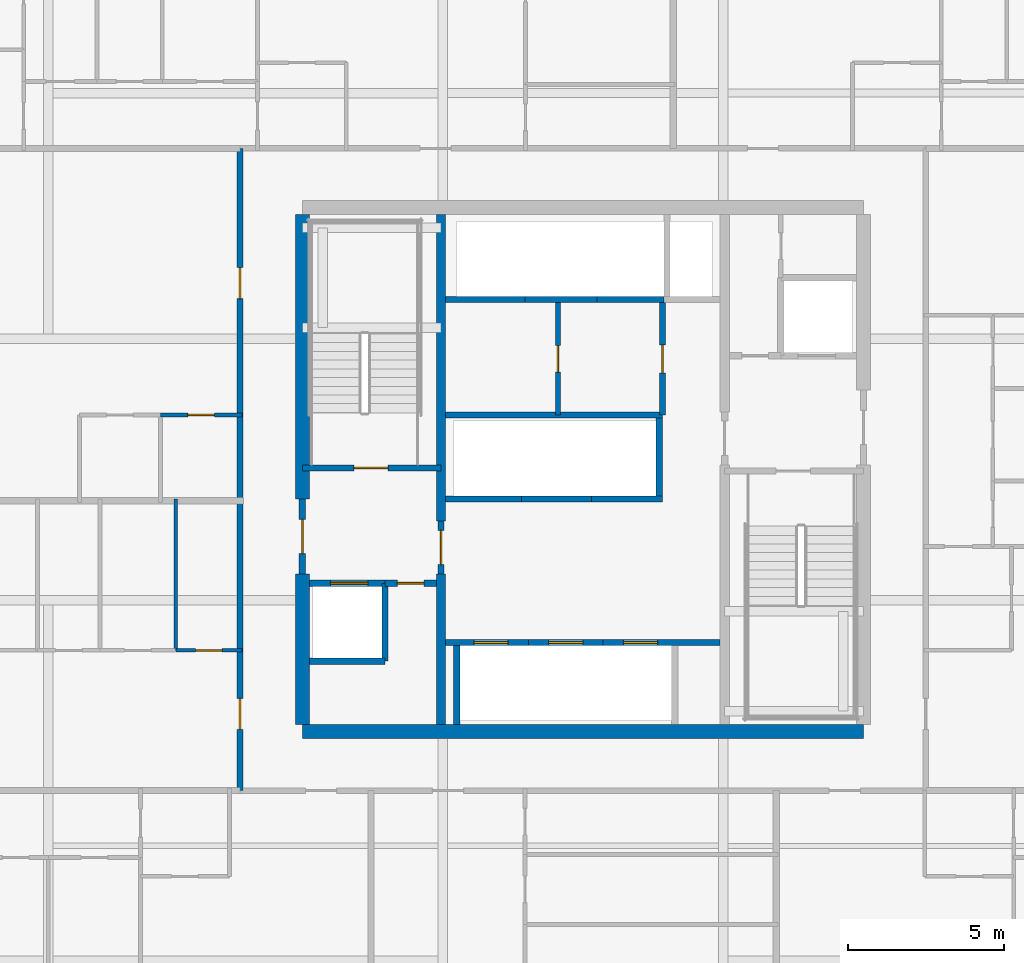
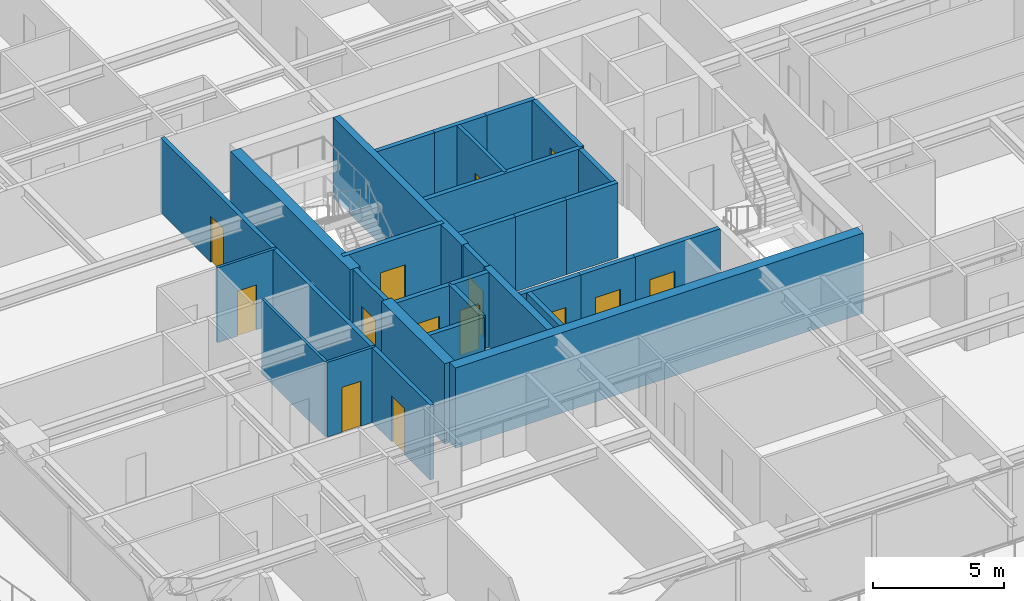
# One storey, part 24 of 35: 30 walls, 14 doors, 14 openings.
"""IFC4 building model written with IfcOpenShell, lengths in metres."""

from ifc_helpers import new_model, si_unit, direction, frame, frame_2d, origin, place, context, subcontext, project, spatial, rectangle, extrude, source, transform, mapped, material, layer, layer_set, type_object, element, fill, save


model = new_model("IFC4")

# Units and contexts
model_context = context("Model", 3, precision=1e-05, world=origin(), true_north=direction((0.0, 1.0)))
body_context = subcontext(model_context, "Body", "Model", "MODEL_VIEW")
ifc_project = project(units=[si_unit("LENGTHUNIT", "METRE"), si_unit("AREAUNIT", "SQUARE_METRE"), si_unit("VOLUMEUNIT", "CUBIC_METRE"), si_unit("PLANEANGLEUNIT", "RADIAN"), si_unit("MASSUNIT", "GRAM", prefix="KILO")], contexts=[model_context])

# Site, building, storey
site_placement = place(None, origin())
site = spatial("IfcSite", under=ifc_project, at=site_placement, CompositionType="ELEMENT")
building_placement = place(site_placement, origin())
building = spatial("IfcBuilding", under=site, at=building_placement, Name="Serunith Strait Residences", CompositionType="ELEMENT")
storey_placement = place(building_placement, frame((0.0, 0.0, 71.699951171875)))
storey = spatial("IfcBuildingStorey", under=building, at=storey_placement, Name="L17", CompositionType="ELEMENT", Elevation=71.699951171875)

# Wall, opening, door
ifc_material_1 = material(Name="Fire-rated masonry service closet wall", Category="masonry")
ifc_layer_1 = layer(ifc_material_1, 0.14990234375, Name="Fire-rated masonry service closet wall")
ifc_layer_set_1 = layer_set([ifc_layer_1], Name="Fire-rated masonry service closet wall")
wall_type_1 = type_object("IfcWallType", Name="IW-BOH-150", PredefinedType="PARTITIONING", material=ifc_layer_set_1)
wall_1_placement = place(storey_placement, frame((31.60009765625, 26.949951171875, 0.0), z_axis=(0.0, 0.0, 1.0), x_axis=(0.0, 1.0, 0.0)))
wall_1 = element("IfcWall", 1, at=wall_1_placement, inside=storey, type_object=wall_type_1, Name="L17 Partition Wall 014", PredefinedType="PARTITIONING", context=body_context, shape_type="SweptSolid", body=[
    extrude(rectangle(XDim=3.60009765625, YDim=0.14990234375, at=frame_2d((1.800048828125, 0.0))), origin(), (0.0, 0.0, 1.0), 3.489990234375),
])
opening_1_placement = place(wall_1_placement, frame((1.375, 0.0, 0.0)))
opening_1 = element("IfcOpeningElement", 2, at=opening_1_placement, cuts=wall_1, Name="Opening FD-850", PredefinedType="OPENING", context=body_context, shape_type="SweptSolid", body=[
    extrude(rectangle(XDim=0.85009765625, YDim=2.10009765625, at=frame_2d((0.425048828125, 1.050048828125))), frame((0.0, 0.0849609375, 0.0), z_axis=(0.0, -1.0, 0.0), x_axis=(1.0, 0.0, 0.0)), (0.0, 0.0, 1.0), 0.169921875),
])
ifc_material_2 = material(Name="Powder-coated steel service closet door", Category="steel")
door_type_1 = type_object("IfcDoorType", Name="FD-BOH-850", OperationType="NOTDEFINED", PredefinedType="DOOR", material=ifc_material_2)
shared_shape_1 = source(origin(), body_context, "Body", "SweptSolid", [
    extrude(rectangle(XDim=0.85009765625, YDim=2.10009765625, at=frame_2d((0.425048828125, 1.050048828125))), frame((0.0, 0.02490234375, 0.0), z_axis=(0.0, -1.0, 0.0), x_axis=(1.0, 0.0, 0.0)), (0.0, 0.0, 1.0), 0.050048828125),
])
door_1_placement = place(opening_1_placement, origin())
door_1 = element("IfcDoor", 3, at=door_1_placement, inside=storey, type_object=door_type_1, Name="L17 Zone Telecoms Door", OperationType="SINGLE_SWING_RIGHT", OverallHeight=2.10009765625, OverallWidth=0.85009765625, PredefinedType="DOOR", context=body_context, shape_type="MappedRepresentation", body=[
    mapped(shared_shape_1, transform((0.0, 0.0, 0.0), scale=1.0)),
])
fill(opening_1, door_1)

# Wall, openings, doors
ifc_material_3 = material(Name="Fire-rated acoustic gypsum partition")
ifc_layer_2 = layer(ifc_material_3, 0.179931640625, Name="Fire-rated acoustic gypsum partition")
ifc_layer_set_2 = layer_set([ifc_layer_2], Name="Fire-rated acoustic gypsum partition")
wall_type_2 = type_object("IfcWallType", Name="IW-CORR-180", PredefinedType="PARTITIONING", material=ifc_layer_set_2)
wall_2_placement = place(storey_placement, frame((21.39990234375, 14.89990234375, 0.0), z_axis=(0.0, 0.0, 1.0), x_axis=(0.0, 1.0, 0.0)))
wall_2 = element("IfcWall", 4, at=wall_2_placement, inside=storey, type_object=wall_type_2, Name="L17 Partition Wall 025", PredefinedType="PARTITIONING", context=body_context, shape_type="SweptSolid", body=[
    extrude(rectangle(XDim=20.60009765625, YDim=0.179931640625, at=frame_2d((10.300048828125, 0.0))), origin(), (0.0, 0.0, 1.0), 3.489990234375),
])
opening_2_placement = place(wall_2_placement, frame((1.9599609375, 0.0, 0.0)))
opening_2 = element("IfcOpeningElement", 5, at=opening_2_placement, cuts=wall_2, Name="Opening D-APT1000", PredefinedType="OPENING", context=body_context, shape_type="SweptSolid", body=[
    extrude(rectangle(XDim=1.0, YDim=2.14990234375, at=frame_2d((0.5, 1.074951171875))), frame((0.0, 0.10009765625, 0.0), z_axis=(0.0, -1.0, 0.0), x_axis=(1.0, 0.0, 0.0)), (0.0, 0.0, 1.0), 0.199951171875),
])
opening_3_placement = place(wall_2_placement, frame((15.778076171875, 0.0, 0.0)))
opening_3 = element("IfcOpeningElement", 6, at=opening_3_placement, cuts=wall_2, Name="Opening D-APT1000", PredefinedType="OPENING", context=body_context, shape_type="SweptSolid", body=[
    extrude(rectangle(XDim=1.0, YDim=2.14990234375, at=frame_2d((0.5, 1.074951171875))), frame((0.0, 0.10009765625, 0.0), z_axis=(0.0, -1.0, 0.0), x_axis=(1.0, 0.0, 0.0)), (0.0, 0.0, 1.0), 0.199951171875),
])
ifc_material_4 = material(Name="Solid timber engineered fire door", Category="wood")
door_type_2 = type_object("IfcDoorType", Name="ID-APT-1000", OperationType="NOTDEFINED", PredefinedType="DOOR", material=ifc_material_4)
shared_shape_2 = source(origin(), body_context, "Body", "SweptSolid", [
    extrude(rectangle(XDim=1.0, YDim=2.14990234375, at=frame_2d((0.5, 1.074951171875))), frame((0.0, 0.02490234375, 0.0), z_axis=(0.0, -1.0, 0.0), x_axis=(1.0, 0.0, 0.0)), (0.0, 0.0, 1.0), 0.050048828125),
])
door_2_placement = place(opening_2_placement, origin())
door_2 = element("IfcDoor", 7, at=door_2_placement, inside=storey, type_object=door_type_2, Name="L17 Unit 06 Entrance Door", OperationType="SINGLE_SWING_RIGHT", OverallHeight=2.14990234375, OverallWidth=1.0, PredefinedType="DOOR", context=body_context, shape_type="MappedRepresentation", body=[
    mapped(shared_shape_2, transform((0.0, 0.0, 0.0), scale=1.0)),
])
fill(opening_2, door_2)
door_3_placement = place(opening_3_placement, origin())
door_3 = element("IfcDoor", 8, at=door_3_placement, inside=storey, type_object=door_type_2, Name="L17 Unit 07 Entrance Door", OperationType="SINGLE_SWING_LEFT", OverallHeight=2.14990234375, OverallWidth=1.0, PredefinedType="DOOR", context=body_context, shape_type="MappedRepresentation", body=[
    mapped(shared_shape_2, transform((0.0, 0.0, 0.0), scale=1.0)),
])
fill(opening_3, door_3)

# Wall
ifc_material_5 = material(Name="Lightweight steel-stud gypsum partition", Category="steel")
ifc_layer_3 = layer(ifc_material_5, 0.1201171875, Name="Lightweight steel-stud gypsum partition")
ifc_layer_set_3 = layer_set([ifc_layer_3], Name="Lightweight steel-stud gypsum partition")
wall_type_3 = type_object("IfcWallType", Name="IW-PART-120", PredefinedType="PARTITIONING", material=ifc_layer_set_3)
wall_3_placement = place(storey_placement, frame((19.3369140625, 19.39990234375, 0.0), z_axis=(0.0, 0.0, 1.0), x_axis=(0.0, 1.0, 0.0)))
element("IfcWall", 9, at=wall_3_placement, inside=storey, type_object=wall_type_3, Name="L17 Partition Wall 105", PredefinedType="PARTITIONING", context=body_context, shape_type="SweptSolid", body=[
    extrude(rectangle(XDim=4.860107421875, YDim=0.1201171875, at=frame_2d((2.43017578125, 0.0))), origin(), (0.0, 0.0, 1.0), 3.489990234375),
])

# Wall, opening, door
wall_4_placement = place(storey_placement, frame((19.339111328125, 19.39990234375, 0.0), z_axis=(0.0, 0.0, 1.0), x_axis=(1.0, 0.0, 0.0)))
wall_4 = element("IfcWall", 10, at=wall_4_placement, inside=storey, type_object=wall_type_3, Name="L17 Partition Wall 108", PredefinedType="PARTITIONING", context=body_context, shape_type="SweptSolid", body=[
    extrude(rectangle(XDim=2.120849609375, YDim=0.1201171875, at=frame_2d((1.060546875, 0.0))), origin(), (0.0, 0.0, 1.0), 3.489990234375),
])
opening_4_placement = place(wall_4_placement, frame((0.635986328125, 0.0, 0.0)))
opening_4 = element("IfcOpeningElement", 11, at=opening_4_placement, cuts=wall_4, Name="Opening D-BTH850", PredefinedType="OPENING", context=body_context, shape_type="SweptSolid", body=[
    extrude(rectangle(XDim=0.85009765625, YDim=2.10009765625, at=frame_2d((0.425048828125, 1.050048828125))), frame((0.0, 0.070068359375, 0.0), z_axis=(0.0, -1.0, 0.0), x_axis=(1.0, 0.0, 0.0)), (0.0, 0.0, 1.0), 0.14013671875),
])
ifc_material_6 = material(Name="Moisture-resistant timber bathroom door", Category="wood")
door_type_3 = type_object("IfcDoorType", Name="ID-BATH-850", OperationType="NOTDEFINED", PredefinedType="DOOR", material=ifc_material_6)
door_4_placement = place(opening_4_placement, origin())
door_4 = element("IfcDoor", 12, at=door_4_placement, inside=storey, type_object=door_type_3, Name="L17 Bathroom 1706 Door", OperationType="SINGLE_SWING_LEFT", OverallHeight=2.10009765625, OverallWidth=0.85009765625, PredefinedType="DOOR", context=body_context, shape_type="MappedRepresentation", body=[
    mapped(shared_shape_1, transform((0.0, 0.0, 0.0), scale=1.0)),
])
fill(opening_4, door_4)

wall_5_placement = place(storey_placement, frame((18.85205078125, 26.949951171875, 0.0), z_axis=(0.0, 0.0, 1.0), x_axis=(1.0, 0.0, 0.0)))
wall_5 = element("IfcWall", 13, at=wall_5_placement, inside=storey, type_object=wall_type_3, Name="L17 Partition Wall 110", PredefinedType="PARTITIONING", context=body_context, shape_type="SweptSolid", body=[
    extrude(rectangle(XDim=2.60791015625, YDim=0.1201171875, at=frame_2d((1.303955078125, 0.0))), origin(), (0.0, 0.0, 1.0), 3.489990234375),
])
opening_5_placement = place(wall_5_placement, frame((0.87890625, 0.0, 0.0)))
opening_5 = element("IfcOpeningElement", 14, at=opening_5_placement, cuts=wall_5, Name="Opening D-BTH850", PredefinedType="OPENING", context=body_context, shape_type="SweptSolid", body=[
    extrude(rectangle(XDim=0.85009765625, YDim=2.10009765625, at=frame_2d((0.425048828125, 1.050048828125))), frame((0.0, 0.070068359375, 0.0), z_axis=(0.0, -1.0, 0.0), x_axis=(1.0, 0.0, 0.0)), (0.0, 0.0, 1.0), 0.14013671875),
])
door_5_placement = place(opening_5_placement, origin())
door_5 = element("IfcDoor", 15, at=door_5_placement, inside=storey, type_object=door_type_3, Name="L17 Bathroom 1707 Door", OperationType="SINGLE_SWING_LEFT", OverallHeight=2.10009765625, OverallWidth=0.85009765625, PredefinedType="DOOR", context=body_context, shape_type="MappedRepresentation", body=[
    mapped(shared_shape_1, transform((0.0, 0.0, 0.0), scale=1.0)),
])
fill(opening_5, door_5)

ifc_material_7 = material(Name="Autoclaved aerated concrete blockwork", Category="masonry")
ifc_layer_4 = layer(ifc_material_7, 0.199951171875, Name="Autoclaved aerated concrete blockwork")
ifc_layer_set_4 = layer_set([ifc_layer_4], Name="Autoclaved aerated concrete blockwork")
wall_type_4 = type_object("IfcWallType", Name="IW-SHAFT-200", PredefinedType="STANDARD", material=ifc_layer_set_4)
wall_6_placement = place(storey_placement, frame((23.39990234375, 25.25, 0.0), z_axis=(0.0, 0.0, 1.0), x_axis=(1.0, 0.0, 0.0)))
wall_6 = element("IfcWall", 16, at=wall_6_placement, inside=storey, type_object=wall_type_4, Name="L17 ST-1 South Shaft Wall", PredefinedType="STANDARD", context=body_context, shape_type="SweptSolid", body=[
    extrude(rectangle(XDim=4.4501953125, YDim=0.199951171875, at=frame_2d((2.22509765625, 0.0))), origin(), (0.0, 0.0, 1.0), 3.489990234375),
])
opening_6_placement = place(wall_6_placement, frame((1.64990234375, 0.0, 0.0)))
opening_6 = element("IfcOpeningElement", 17, at=opening_6_placement, cuts=wall_6, Name="Opening FD-1100", PredefinedType="OPENING", context=body_context, shape_type="SweptSolid", body=[
    extrude(rectangle(XDim=1.10009765625, YDim=2.14990234375, at=frame_2d((0.550048828125, 1.074951171875))), frame((0.0, 0.10986328125, 0.0), z_axis=(0.0, -1.0, 0.0), x_axis=(1.0, 0.0, 0.0)), (0.0, 0.0, 1.0), 0.219970703125),
])
ifc_material_8 = material(Name="Galvanised steel fire door leaf", Category="steel")
door_type_4 = type_object("IfcDoorType", Name="FD-STAIR-1100", OperationType="NOTDEFINED", PredefinedType="DOOR", material=ifc_material_8)
shared_shape_3 = source(origin(), body_context, "Body", "SweptSolid", [
    extrude(rectangle(XDim=1.10009765625, YDim=2.14990234375, at=frame_2d((0.550048828125, 1.074951171875))), frame((0.0, 0.02490234375, 0.0), z_axis=(0.0, -1.0, 0.0), x_axis=(1.0, 0.0, 0.0)), (0.0, 0.0, 1.0), 0.050048828125),
])
door_6_placement = place(opening_6_placement, origin())
door_6 = element("IfcDoor", 18, at=door_6_placement, inside=storey, type_object=door_type_4, Name="L17 ST-1 Escape Stair Door", OperationType="SINGLE_SWING_LEFT", OverallHeight=2.14990234375, OverallWidth=1.10009765625, PredefinedType="DOOR", context=body_context, shape_type="MappedRepresentation", body=[
    mapped(shared_shape_3, transform((0.0, 0.0, 0.0), scale=1.0)),
])
fill(opening_6, door_6)

wall_7_placement = place(storey_placement, frame((23.625, 21.550048828125, 0.0), z_axis=(0.0, 0.0, 1.0), x_axis=(1.0, 0.0, 0.0)))
wall_7 = element("IfcWall", 19, at=wall_7_placement, inside=storey, type_object=wall_type_4, Name="L17 FL-1 North Shaft Wall", PredefinedType="STANDARD", context=body_context, shape_type="SweptSolid", body=[
    extrude(rectangle(XDim=2.425048828125, YDim=0.199951171875, at=frame_2d((1.21240234375, 0.0))), origin(), (0.0, 0.0, 1.0), 3.489990234375),
])
opening_7_placement = place(wall_7_placement, frame((0.675048828125, 0.0, 0.0)))
opening_7 = element("IfcOpeningElement", 20, at=opening_7_placement, cuts=wall_7, Name="Opening LD-FF1200", PredefinedType="OPENING", context=body_context, shape_type="SweptSolid", body=[
    extrude(rectangle(XDim=1.199951171875, YDim=2.199951171875, at=frame_2d((0.60009765625, 1.10009765625))), frame((0.0, 0.10986328125, 0.0), z_axis=(0.0, -1.0, 0.0), x_axis=(1.0, 0.0, 0.0)), (0.0, 0.0, 1.0), 0.219970703125),
])
ifc_material_9 = material(Name="Brushed stainless steel landing door", Category="steel")
door_type_5 = type_object("IfcDoorType", Name="LD-FF-1200", OperationType="DOUBLE_DOOR_SLIDING", PredefinedType="DOOR", material=ifc_material_9)
shared_shape_4 = source(origin(), body_context, "Body", "SweptSolid", [
    extrude(rectangle(XDim=1.199951171875, YDim=2.199951171875, at=frame_2d((0.60009765625, 1.10009765625))), frame((0.0, 0.02490234375, 0.0), z_axis=(0.0, -1.0, 0.0), x_axis=(1.0, 0.0, 0.0)), (0.0, 0.0, 1.0), 0.050048828125),
])
door_7_placement = place(opening_7_placement, origin())
door_7 = element("IfcDoor", 21, at=door_7_placement, inside=storey, type_object=door_type_5, Name="L17 FL-1 Landing Door", OperationType="DOUBLE_DOOR_SLIDING", OverallHeight=2.199951171875, OverallWidth=1.199951171875, PredefinedType="DOOR", context=body_context, shape_type="MappedRepresentation", body=[
    mapped(shared_shape_4, transform((0.0, 0.0, 0.0), scale=1.0)),
])
fill(opening_7, door_7)

wall_8_placement = place(storey_placement, frame((28.0, 19.64990234375, 0.0), z_axis=(0.0, 0.0, 1.0), x_axis=(1.0, 0.0, 0.0)))
wall_8 = element("IfcWall", 22, at=wall_8_placement, inside=storey, type_object=wall_type_4, Name="L17 PL-1 North Shaft Wall", PredefinedType="STANDARD", context=body_context, shape_type="SweptSolid", body=[
    extrude(rectangle(XDim=2.64990234375, YDim=0.199951171875, at=frame_2d((1.324951171875, 0.0))), origin(), (0.0, 0.0, 1.0), 3.489990234375),
])
opening_8_placement = place(wall_8_placement, frame((0.89990234375, 0.0, 0.0)))
opening_8 = element("IfcOpeningElement", 23, at=opening_8_placement, cuts=wall_8, Name="Opening LD-1100", PredefinedType="OPENING", context=body_context, shape_type="SweptSolid", body=[
    extrude(rectangle(XDim=1.10009765625, YDim=2.199951171875, at=frame_2d((0.550048828125, 1.10009765625))), frame((0.0, 0.10986328125, 0.0), z_axis=(0.0, -1.0, 0.0), x_axis=(1.0, 0.0, 0.0)), (0.0, 0.0, 1.0), 0.219970703125),
])
ifc_material_10 = material(Name="Pale-champagne stainless landing door")
door_type_6 = type_object("IfcDoorType", Name="LD-LIFT-1100", OperationType="DOUBLE_DOOR_SLIDING", PredefinedType="DOOR", material=ifc_material_10)
shared_shape_5 = source(origin(), body_context, "Body", "SweptSolid", [
    extrude(rectangle(XDim=1.10009765625, YDim=2.199951171875, at=frame_2d((0.550048828125, 1.10009765625))), frame((0.0, 0.02490234375, 0.0), z_axis=(0.0, -1.0, 0.0), x_axis=(1.0, 0.0, 0.0)), (0.0, 0.0, 1.0), 0.050048828125),
])
door_8_placement = place(opening_8_placement, origin())
door_8 = element("IfcDoor", 24, at=door_8_placement, inside=storey, type_object=door_type_6, Name="L17 PL-1 Landing Door", OperationType="DOUBLE_DOOR_SLIDING", OverallHeight=2.199951171875, OverallWidth=1.10009765625, PredefinedType="DOOR", context=body_context, shape_type="MappedRepresentation", body=[
    mapped(shared_shape_5, transform((0.0, 0.0, 0.0), scale=1.0)),
])
fill(opening_8, door_8)

# Wall
wall_9_placement = place(storey_placement, frame((28.35009765625, 17.02490234375, 0.0), z_axis=(0.0, 0.0, 1.0), x_axis=(0.0, 1.0, 0.0)))
element("IfcWall", 25, at=wall_9_placement, inside=storey, type_object=wall_type_4, Name="L17 PL-1 West Shaft Wall", PredefinedType="STANDARD", context=body_context, shape_type="SweptSolid", body=[
    extrude(rectangle(XDim=2.525146484375, YDim=0.199951171875, at=frame_2d((1.2626953125, 0.0))), origin(), (0.0, 0.0, 1.0), 3.489990234375),
])

# Wall, opening, door
wall_10_placement = place(storey_placement, frame((30.64990234375, 19.64990234375, 0.0), z_axis=(0.0, 0.0, 1.0), x_axis=(1.0, 0.0, 0.0)))
wall_10 = element("IfcWall", 26, at=wall_10_placement, inside=storey, type_object=wall_type_4, Name="L17 PL-2 North Shaft Wall", PredefinedType="STANDARD", context=body_context, shape_type="SweptSolid", body=[
    extrude(rectangle(XDim=2.400146484375, YDim=0.199951171875, at=frame_2d((1.2001953125, 0.0))), origin(), (0.0, 0.0, 1.0), 3.489990234375),
])
opening_9_placement = place(wall_10_placement, frame((0.64990234375, 0.0, 0.0)))
opening_9 = element("IfcOpeningElement", 27, at=opening_9_placement, cuts=wall_10, Name="Opening LD-1100", PredefinedType="OPENING", context=body_context, shape_type="SweptSolid", body=[
    extrude(rectangle(XDim=1.10009765625, YDim=2.199951171875, at=frame_2d((0.550048828125, 1.10009765625))), frame((0.0, 0.10986328125, 0.0), z_axis=(0.0, -1.0, 0.0), x_axis=(1.0, 0.0, 0.0)), (0.0, 0.0, 1.0), 0.219970703125),
])
door_9_placement = place(opening_9_placement, origin())
door_9 = element("IfcDoor", 28, at=door_9_placement, inside=storey, type_object=door_type_6, Name="L17 PL-2 Landing Door", OperationType="DOUBLE_DOOR_SLIDING", OverallHeight=2.199951171875, OverallWidth=1.10009765625, PredefinedType="DOOR", context=body_context, shape_type="MappedRepresentation", body=[
    mapped(shared_shape_5, transform((0.0, 0.0, 0.0), scale=1.0)),
])
fill(opening_9, door_9)

wall_11_placement = place(storey_placement, frame((33.050048828125, 19.64990234375, 0.0), z_axis=(0.0, 0.0, 1.0), x_axis=(1.0, 0.0, 0.0)))
wall_11 = element("IfcWall", 29, at=wall_11_placement, inside=storey, type_object=wall_type_4, Name="L17 PL-3 North Shaft Wall", PredefinedType="STANDARD", context=body_context, shape_type="SweptSolid", body=[
    extrude(rectangle(XDim=3.75, YDim=0.199951171875, at=frame_2d((1.875, 0.0))), origin(), (0.0, 0.0, 1.0), 3.489990234375),
])
opening_10_placement = place(wall_11_placement, frame((0.64990234375, 0.0, 0.0)))
opening_10 = element("IfcOpeningElement", 30, at=opening_10_placement, cuts=wall_11, Name="Opening LD-1100", PredefinedType="OPENING", context=body_context, shape_type="SweptSolid", body=[
    extrude(rectangle(XDim=1.10009765625, YDim=2.199951171875, at=frame_2d((0.550048828125, 1.10009765625))), frame((0.0, 0.10986328125, 0.0), z_axis=(0.0, -1.0, 0.0), x_axis=(1.0, 0.0, 0.0)), (0.0, 0.0, 1.0), 0.219970703125),
])
door_10_placement = place(opening_10_placement, origin())
door_10 = element("IfcDoor", 31, at=door_10_placement, inside=storey, type_object=door_type_6, Name="L17 PL-3 Landing Door", OperationType="DOUBLE_DOOR_SLIDING", OverallHeight=2.199951171875, OverallWidth=1.10009765625, PredefinedType="DOOR", context=body_context, shape_type="MappedRepresentation", body=[
    mapped(shared_shape_5, transform((0.0, 0.0, 0.0), scale=1.0)),
])
fill(opening_10, door_10)

# Walls
wall_12_placement = place(storey_placement, frame((28.0, 24.25, 0.0), z_axis=(0.0, 0.0, 1.0), x_axis=(1.0, 0.0, 0.0)))
element("IfcWall", 32, at=wall_12_placement, inside=storey, type_object=wall_type_4, Name="L17 PL-4 South Shaft Wall", PredefinedType="STANDARD", context=body_context, shape_type="SweptSolid", body=[
    extrude(rectangle(XDim=2.425048828125, YDim=0.199951171875, at=frame_2d((1.21240234375, 0.0))), origin(), (0.0, 0.0, 1.0), 3.489990234375),
])
wall_13_placement = place(storey_placement, frame((30.425048828125, 24.25, 0.0), z_axis=(0.0, 0.0, 1.0), x_axis=(1.0, 0.0, 0.0)))
element("IfcWall", 33, at=wall_13_placement, inside=storey, type_object=wall_type_4, Name="L17 PL-5 South Shaft Wall", PredefinedType="STANDARD", context=body_context, shape_type="SweptSolid", body=[
    extrude(rectangle(XDim=2.25, YDim=0.199951171875, at=frame_2d((1.125, 0.0))), origin(), (0.0, 0.0, 1.0), 3.489990234375),
])
wall_14_placement = place(storey_placement, frame((32.675048828125, 24.25, 0.0), z_axis=(0.0, 0.0, 1.0), x_axis=(1.0, 0.0, 0.0)))
element("IfcWall", 34, at=wall_14_placement, inside=storey, type_object=wall_type_4, Name="L17 PL-6 South Shaft Wall", PredefinedType="STANDARD", context=body_context, shape_type="SweptSolid", body=[
    extrude(rectangle(XDim=2.27490234375, YDim=0.199951171875, at=frame_2d((1.137451171875, 0.0))), origin(), (0.0, 0.0, 1.0), 3.489990234375),
])
wall_15_placement = place(storey_placement, frame((34.85009765625, 24.35009765625, 0.0), z_axis=(0.0, 0.0, 1.0), x_axis=(0.0, 1.0, 0.0)))
element("IfcWall", 35, at=wall_15_placement, inside=storey, type_object=wall_type_4, Name="L17 PL-6 East Shaft Wall", PredefinedType="STANDARD", context=body_context, shape_type="SweptSolid", body=[
    extrude(rectangle(XDim=2.5, YDim=0.199951171875, at=frame_2d((1.25, 0.0))), origin(), (0.0, 0.0, 1.0), 3.489990234375),
])
wall_16_placement = place(storey_placement, frame((28.0, 30.64990234375, 0.0), z_axis=(0.0, 0.0, 1.0), x_axis=(1.0, 0.0, 0.0)))
element("IfcWall", 36, at=wall_16_placement, inside=storey, type_object=wall_type_4, Name="L17 PL-7 South Shaft Wall", PredefinedType="STANDARD", context=body_context, shape_type="SweptSolid", body=[
    extrude(rectangle(XDim=2.550048828125, YDim=0.199951171875, at=frame_2d((1.27490234375, 0.0))), origin(), (0.0, 0.0, 1.0), 3.489990234375),
])
wall_17_placement = place(storey_placement, frame((30.550048828125, 30.64990234375, 0.0), z_axis=(0.0, 0.0, 1.0), x_axis=(1.0, 0.0, 0.0)))
element("IfcWall", 37, at=wall_17_placement, inside=storey, type_object=wall_type_4, Name="L17 PL-8 South Shaft Wall", PredefinedType="STANDARD", context=body_context, shape_type="SweptSolid", body=[
    extrude(rectangle(XDim=2.300048828125, YDim=0.199951171875, at=frame_2d((1.14990234375, 0.0))), origin(), (0.0, 0.0, 1.0), 3.489990234375),
])
wall_18_placement = place(storey_placement, frame((32.85009765625, 30.64990234375, 0.0), z_axis=(0.0, 0.0, 1.0), x_axis=(1.0, 0.0, 0.0)))
element("IfcWall", 38, at=wall_18_placement, inside=storey, type_object=wall_type_4, Name="L17 PL-9 South Shaft Wall", PredefinedType="STANDARD", context=body_context, shape_type="SweptSolid", body=[
    extrude(rectangle(XDim=2.14990234375, YDim=0.199951171875, at=frame_2d((1.074951171875, 0.0))), origin(), (0.0, 0.0, 1.0), 3.489990234375),
])
wall_19_placement = place(storey_placement, frame((26.050048828125, 19.050048828125, 0.0), z_axis=(0.0, 0.0, 1.0), x_axis=(0.0, 1.0, 0.0)))
element("IfcWall", 39, at=wall_19_placement, inside=storey, type_object=wall_type_4, Name="L17 Partition Wall 001", PredefinedType="STANDARD", context=body_context, shape_type="SweptSolid", body=[
    extrude(rectangle(XDim=2.5, YDim=0.199951171875, at=frame_2d((1.25, 0.0))), origin(), (0.0, 0.0, 1.0), 3.489990234375),
])
wall_20_placement = place(storey_placement, frame((23.625, 19.050048828125, 0.0), z_axis=(0.0, 0.0, 1.0), x_axis=(1.0, 0.0, 0.0)))
element("IfcWall", 40, at=wall_20_placement, inside=storey, type_object=wall_type_4, Name="L17 Partition Wall 002", PredefinedType="STANDARD", context=body_context, shape_type="SweptSolid", body=[
    extrude(rectangle(XDim=2.425048828125, YDim=0.199951171875, at=frame_2d((1.21240234375, 0.0))), origin(), (0.0, 0.0, 1.0), 3.489990234375),
])

# Wall, opening, door
wall_21_placement = place(storey_placement, frame((26.052001953125, 21.550048828125, 0.0), z_axis=(0.0, 0.0, 1.0), x_axis=(1.0, 0.0, 0.0)))
wall_21 = element("IfcWall", 41, at=wall_21_placement, inside=storey, type_object=wall_type_4, Name="L17 Partition Wall 003", PredefinedType="STANDARD", context=body_context, shape_type="SweptSolid", body=[
    extrude(rectangle(XDim=1.64794921875, YDim=0.199951171875, at=frame_2d((0.823974609375, 0.0))), origin(), (0.0, 0.0, 1.0), 3.489990234375),
])
opening_11_placement = place(wall_21_placement, frame((0.39892578125, 0.0, 0.0)))
opening_11 = element("IfcOpeningElement", 42, at=opening_11_placement, cuts=wall_21, Name="Opening FD-850", PredefinedType="OPENING", context=body_context, shape_type="SweptSolid", body=[
    extrude(rectangle(XDim=0.85009765625, YDim=2.10009765625, at=frame_2d((0.425048828125, 1.050048828125))), frame((0.0, 0.10986328125, 0.0), z_axis=(0.0, -1.0, 0.0), x_axis=(1.0, 0.0, 0.0)), (0.0, 0.0, 1.0), 0.219970703125),
])
door_11_placement = place(opening_11_placement, origin())
door_11 = element("IfcDoor", 43, at=door_11_placement, inside=storey, type_object=door_type_1, Name="L17 South-West Core Service Door", OperationType="SINGLE_SWING_RIGHT", OverallHeight=2.10009765625, OverallWidth=0.85009765625, PredefinedType="DOOR", context=body_context, shape_type="MappedRepresentation", body=[
    mapped(shared_shape_1, transform((0.0, 0.0, 0.0), scale=1.0)),
])
fill(opening_11, door_11)

wall_22_placement = place(storey_placement, frame((23.39990234375, 21.85205078125, 0.0), z_axis=(0.0, 0.0, 1.0), x_axis=(0.0, 1.0, 0.0)))
wall_22 = element("IfcWall", 44, at=wall_22_placement, inside=storey, type_object=wall_type_4, Name="L17 Partition Wall 007", PredefinedType="STANDARD", context=body_context, shape_type="SweptSolid", body=[
    extrude(rectangle(XDim=2.39599609375, YDim=0.199951171875, at=frame_2d((1.197998046875, 0.0))), origin(), (0.0, 0.0, 1.0), 3.489990234375),
])
opening_12_placement = place(wall_22_placement, frame((0.64794921875, 0.0, 0.0)))
opening_12 = element("IfcOpeningElement", 45, at=opening_12_placement, cuts=wall_22, Name="Opening FD-FFL", PredefinedType="OPENING", context=body_context, shape_type="SweptSolid", body=[
    extrude(rectangle(XDim=1.10009765625, YDim=2.14990234375, at=frame_2d((0.550048828125, 1.074951171875))), frame((0.0, 0.10986328125, 0.0), z_axis=(0.0, -1.0, 0.0), x_axis=(1.0, 0.0, 0.0)), (0.0, 0.0, 1.0), 0.219970703125),
])
ifc_material_11 = material(Name="Glazed steel smoke-lobby fire door", Category="steel")
door_type_7 = type_object("IfcDoorType", Name="FD-FFL-1100", OperationType="NOTDEFINED", PredefinedType="DOOR", material=ifc_material_11)
door_12_placement = place(opening_12_placement, origin())
door_12 = element("IfcDoor", 46, at=door_12_placement, inside=storey, type_object=door_type_7, Name="L17 FFL-1 Corridor Fire Door", OperationType="SINGLE_SWING_RIGHT", OverallHeight=2.14990234375, OverallWidth=1.10009765625, PredefinedType="DOOR", context=body_context, shape_type="MappedRepresentation", body=[
    mapped(shared_shape_3, transform((0.0, 0.0, 0.0), scale=1.0)),
])
fill(opening_12, door_12)

wall_23_placement = place(storey_placement, frame((27.85009765625, 21.85205078125, 0.0), z_axis=(0.0, 0.0, 1.0), x_axis=(0.0, 1.0, 0.0)))
wall_23 = element("IfcWall", 47, at=wall_23_placement, inside=storey, type_object=wall_type_4, Name="L17 Partition Wall 009", PredefinedType="STANDARD", context=body_context, shape_type="SweptSolid", body=[
    extrude(rectangle(XDim=1.696044921875, YDim=0.199951171875, at=frame_2d((0.84814453125, 0.0))), origin(), (0.0, 0.0, 1.0), 3.489990234375),
])
opening_13_placement = place(wall_23_placement, frame((0.298095703125, 0.0, 0.0)))
opening_13 = element("IfcOpeningElement", 48, at=opening_13_placement, cuts=wall_23, Name="Opening FD-FFL", PredefinedType="OPENING", context=body_context, shape_type="SweptSolid", body=[
    extrude(rectangle(XDim=1.10009765625, YDim=2.14990234375, at=frame_2d((0.550048828125, 1.074951171875))), frame((0.0, 0.10986328125, 0.0), z_axis=(0.0, -1.0, 0.0), x_axis=(1.0, 0.0, 0.0)), (0.0, 0.0, 1.0), 0.219970703125),
])
door_13_placement = place(opening_13_placement, origin())
door_13 = element("IfcDoor", 49, at=door_13_placement, inside=storey, type_object=door_type_7, Name="L17 FFL-1 Lift Lobby Door", OperationType="SINGLE_SWING_RIGHT", OverallHeight=2.14990234375, OverallWidth=1.10009765625, PredefinedType="DOOR", context=body_context, shape_type="MappedRepresentation", body=[
    mapped(shared_shape_3, transform((0.0, 0.0, 0.0), scale=1.0)),
])
fill(opening_13, door_13)

# Wall
wall_24_placement = place(storey_placement, frame((28.0, 26.949951171875, 0.0), z_axis=(0.0, 0.0, 1.0), x_axis=(1.0, 0.0, 0.0)))
element("IfcWall", 50, at=wall_24_placement, inside=storey, type_object=wall_type_4, Name="L17 Partition Wall 011", PredefinedType="STANDARD", context=body_context, shape_type="SweptSolid", body=[
    extrude(rectangle(XDim=6.949951171875, YDim=0.199951171875, at=frame_2d((3.47509765625, 0.0))), origin(), (0.0, 0.0, 1.0), 3.489990234375),
])

# Wall, opening, door
wall_25_placement = place(storey_placement, frame((34.949951171875, 26.949951171875, 0.0), z_axis=(0.0, 0.0, 1.0), x_axis=(0.0, 1.0, 0.0)))
wall_25 = element("IfcWall", 51, at=wall_25_placement, inside=storey, type_object=wall_type_4, Name="L17 Partition Wall 013", PredefinedType="STANDARD", context=body_context, shape_type="SweptSolid", body=[
    extrude(rectangle(XDim=3.60009765625, YDim=0.199951171875, at=frame_2d((1.800048828125, 0.0))), origin(), (0.0, 0.0, 1.0), 3.489990234375),
])
opening_14_placement = place(wall_25_placement, frame((1.35009765625, 0.0, 0.0)))
opening_14 = element("IfcOpeningElement", 52, at=opening_14_placement, cuts=wall_25, Name="Opening FD-900", PredefinedType="OPENING", context=body_context, shape_type="SweptSolid", body=[
    extrude(rectangle(XDim=0.89990234375, YDim=2.10009765625, at=frame_2d((0.449951171875, 1.050048828125))), frame((0.0, 0.10986328125, 0.0), z_axis=(0.0, -1.0, 0.0), x_axis=(1.0, 0.0, 0.0)), (0.0, 0.0, 1.0), 0.219970703125),
])
ifc_material_12 = material(Name="Powder-coated steel riser door", Category="steel")
door_type_8 = type_object("IfcDoorType", Name="FD-BOH-900", OperationType="NOTDEFINED", PredefinedType="DOOR", material=ifc_material_12)
shared_shape_6 = source(origin(), body_context, "Body", "SweptSolid", [
    extrude(rectangle(XDim=0.89990234375, YDim=2.10009765625, at=frame_2d((0.449951171875, 1.050048828125))), frame((0.0, 0.02490234375, 0.0), z_axis=(0.0, -1.0, 0.0), x_axis=(1.0, 0.0, 0.0)), (0.0, 0.0, 1.0), 0.050048828125),
])
door_14_placement = place(opening_14_placement, origin())
door_14 = element("IfcDoor", 53, at=door_14_placement, inside=storey, type_object=door_type_8, Name="L17 Central Comms Door", OperationType="SINGLE_SWING_LEFT", OverallHeight=2.10009765625, OverallWidth=0.89990234375, PredefinedType="DOOR", context=body_context, shape_type="MappedRepresentation", body=[
    mapped(shared_shape_6, transform((0.0, 0.0, 0.0), scale=1.0)),
])
fill(opening_14, door_14)

# Walls
ifc_material_13 = material(Name="Concrete C80/95", Category="concrete")
ifc_layer_5 = layer(ifc_material_13, 0.300048828125, Name="Concrete C80/95")
ifc_layer_set_5 = layer_set([ifc_layer_5], Name="Concrete C80/95")
wall_type_5 = type_object("IfcWallType", Name="SW-300-C80", PredefinedType="SHEAR", material=ifc_layer_set_5)
wall_26_placement = place(storey_placement, frame((27.85009765625, 17.02490234375, -0.260009765625), z_axis=(0.0, 0.0, 1.0), x_axis=(0.0, 1.0, 0.0)))
element("IfcWall", 54, at=wall_26_placement, inside=storey, type_object=wall_type_5, Name="L17 Core Internal West Web South Pier", PredefinedType="SHEAR", context=body_context, shape_type="SweptSolid", body=[
    extrude(rectangle(XDim=4.8251953125, YDim=0.300048828125, at=frame_2d((2.41259765625, 0.0))), origin(), (0.0, 0.0, 1.0), 3.748046875),
])
wall_27_placement = place(storey_placement, frame((27.85009765625, 23.550048828125, -0.260009765625), z_axis=(0.0, 0.0, 1.0), x_axis=(0.0, 1.0, 0.0)))
element("IfcWall", 55, at=wall_27_placement, inside=storey, type_object=wall_type_5, Name="L17 Core Internal West Web North Pier", PredefinedType="SHEAR", context=body_context, shape_type="SweptSolid", body=[
    extrude(rectangle(XDim=9.824951171875, YDim=0.300048828125, at=frame_2d((4.91259765625, 0.0))), origin(), (0.0, 0.0, 1.0), 3.748046875),
])
ifc_layer_6 = layer(ifc_material_13, 0.449951171875, Name="Concrete C80/95")
ifc_layer_set_6 = layer_set([ifc_layer_6], Name="Concrete C80/95")
wall_type_6 = type_object("IfcWallType", Name="SW-450-C80", PredefinedType="SHEAR", material=ifc_layer_set_6)
wall_28_placement = place(storey_placement, frame((23.39990234375, 16.800048828125, -0.260009765625), z_axis=(0.0, 0.0, 1.0), x_axis=(1.0, 0.0, 0.0)))
element("IfcWall", 56, at=wall_28_placement, inside=storey, type_object=wall_type_6, Name="L17 Core South Shear Wall", PredefinedType="SHEAR", context=body_context, shape_type="SweptSolid", body=[
    extrude(rectangle(XDim=18.0, YDim=0.449951171875, at=frame_2d((9.0, 0.0))), origin(), (0.0, 0.0, 1.0), 3.748046875),
])
wall_29_placement = place(storey_placement, frame((23.39990234375, 17.02490234375, -0.260009765625), z_axis=(0.0, 0.0, 1.0), x_axis=(0.0, 1.0, 0.0)))
element("IfcWall", 57, at=wall_29_placement, inside=storey, type_object=wall_type_6, Name="L17 Core West Shear Wall South Pier", PredefinedType="SHEAR", context=body_context, shape_type="SweptSolid", body=[
    extrude(rectangle(XDim=4.8251953125, YDim=0.449951171875, at=frame_2d((2.41259765625, 0.0))), origin(), (0.0, 0.0, 1.0), 3.748046875),
])
wall_30_placement = place(storey_placement, frame((23.39990234375, 24.25, -0.260009765625), z_axis=(0.0, 0.0, 1.0), x_axis=(0.0, 1.0, 0.0)))
element("IfcWall", 58, at=wall_30_placement, inside=storey, type_object=wall_type_6, Name="L17 Core West Shear Wall North Pier", PredefinedType="SHEAR", context=body_context, shape_type="SweptSolid", body=[
    extrude(rectangle(XDim=9.125, YDim=0.449951171875, at=frame_2d((4.5625, 0.0))), origin(), (0.0, 0.0, 1.0), 3.748046875),
])

save(model, "model.ifc")
